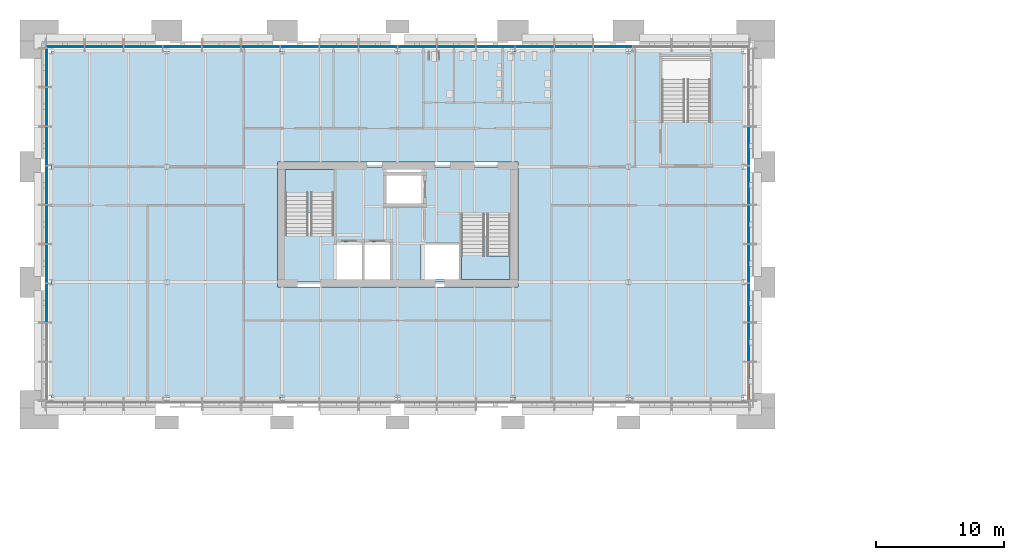
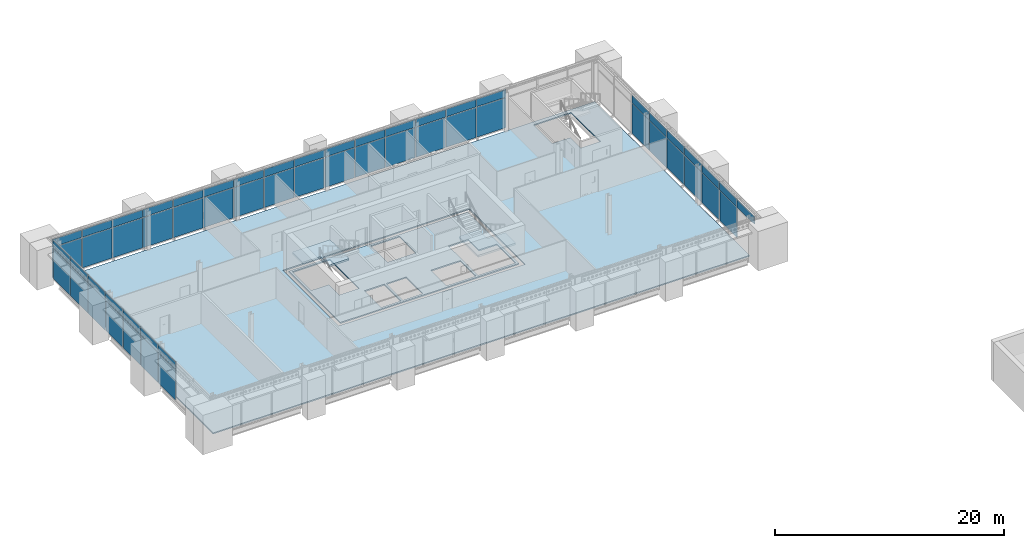
# One storey, part 19 of 54: 57 plates, 4 slabs, 5 elements without a shape of their own.
"""IFC4 building model written with IfcOpenShell, lengths in metres."""

from ifc_helpers import new_model, si_unit, direction, frame, origin, origin_2d, place, context, subcontext, project, spatial, polyline, rectangle, outline, extrude, material, layer, layer_set, type_object, element, aggregate, save


model = new_model("IFC4")

# Units and contexts
model_context = context("Model", 3, precision=1e-05, world=origin(), true_north=direction((0.0, 1.0)))
body_context = subcontext(model_context, "Body", "Model", "MODEL_VIEW")
ifc_project = project(units=[si_unit("LENGTHUNIT", "METRE"), si_unit("AREAUNIT", "SQUARE_METRE"), si_unit("VOLUMEUNIT", "CUBIC_METRE"), si_unit("PLANEANGLEUNIT", "RADIAN"), si_unit("MASSUNIT", "GRAM", prefix="KILO")], contexts=[model_context])

# Site, building, storey
site_placement = place(None, origin())
site = spatial("IfcSite", under=ifc_project, at=site_placement, CompositionType="ELEMENT")
building_placement = place(site_placement, origin())
building = spatial("IfcBuilding", under=site, at=building_placement, Name="Baradari Gate Terminus", CompositionType="ELEMENT")
storey_placement = place(building_placement, frame((0.0, 0.0, 15.89990234375)))
storey = spatial("IfcBuildingStorey", under=building, at=storey_placement, Name="L03", CompositionType="ELEMENT", Elevation=15.89990234375)

# Slabs
ifc_material_1 = material(Name="Concrete C35/45", Category="concrete")
ifc_layer_1 = layer(ifc_material_1, 0.1298828125)
ifc_layer_set_1 = layer_set([ifc_layer_1], Name="Concrete C35/45")
slab_type_1 = type_object("IfcSlabType", Name="Composite floor slab SL1 130", PredefinedType="FLOOR", material=ifc_layer_set_1)
slab_1_placement = place(storey_placement, frame((0.0, 0.0, -0.1298828125)))
element("IfcSlab", 1, at=slab_1_placement, inside=storey, type_object=slab_type_1, Name="Block floor", PredefinedType="FLOOR", context=body_context, shape_type="SweptSolid", body=[
    extrude(outline(polyline([(63.0, 117.0), (63.0, 144.0), (9.0, 144.0), (9.0, 117.0), (63.0, 117.0)]), holes=[polyline([(56.60009765625, 143.60009765625), (56.60009765625, 140.320068359375), (58.39990234375, 140.320068359375), (58.39990234375, 138.5), (60.39990234375, 138.5), (60.39990234375, 143.60009765625), (56.60009765625, 143.60009765625)]), polyline([(45.375, 134.77490234375), (45.375, 135.375), (26.625, 135.375), (26.625, 134.77490234375), (26.625, 126.22509765625), (26.625, 125.625), (45.375, 125.625), (45.375, 126.22509765625), (45.375, 134.77490234375)])]), origin(), (0.0, 0.0, 1.0), 0.1298828125),
])
slab_2_placement = place(storey_placement, frame((0.0, 0.0, -0.1298828125)))
element("IfcSlab", 2, at=slab_2_placement, inside=storey, type_object=slab_type_1, Name="Core floor CT", PredefinedType="FLOOR", context=body_context, shape_type="SweptSolid", body=[
    extrude(outline(polyline([(27.0, 135.0), (27.0, 126.0), (45.0, 126.0), (45.0, 135.0), (27.0, 135.0)]), holes=[polyline([(44.77490234375, 126.22509765625), (44.77490234375, 129.5048828125), (42.97509765625, 129.5048828125), (42.97509765625, 131.324951171875), (40.97509765625, 131.324951171875), (40.97509765625, 126.22509765625), (44.77490234375, 126.22509765625)]), polyline([(40.77490234375, 128.925048828125), (37.824951171875, 128.925048828125), (37.824951171875, 126.22509765625), (40.77490234375, 126.22509765625), (40.77490234375, 128.925048828125)]), polyline([(38.02490234375, 131.875), (38.02490234375, 134.77490234375), (35.125, 134.77490234375), (35.125, 131.875), (38.02490234375, 131.875)]), polyline([(35.425048828125, 129.125), (33.425048828125, 129.125), (33.425048828125, 126.22509765625), (35.425048828125, 126.22509765625), (35.425048828125, 129.125)]), polyline([(31.22509765625, 129.125), (31.22509765625, 126.22509765625), (33.22509765625, 126.22509765625), (33.22509765625, 129.125), (31.22509765625, 129.125)]), polyline([(27.22509765625, 134.77490234375), (27.22509765625, 131.4951171875), (29.02490234375, 131.4951171875), (29.02490234375, 129.675048828125), (31.02490234375, 129.675048828125), (31.02490234375, 134.77490234375), (27.22509765625, 134.77490234375)])]), origin(), (0.0, 0.0, 1.0), 0.1298828125),
])

# Curtain wall, plates
ifc_material_2 = material(Name="Aluminium 6063-T6", Category="aluminium")
curtain_wall_type = type_object("IfcCurtainWallType", Name="Curtain wall CW-1 block unitised, zone L02-L05", PredefinedType="NOTDEFINED", material=ifc_material_2)
curtain_wall_1_placement = place(storey_placement, origin())
curtain_wall_1 = element("IfcCurtainWall", 3, at=curtain_wall_1_placement, inside=storey, type_object=curtain_wall_type, Name="Curtain wall CW-1 Operations block N face L03", PredefinedType="NOTDEFINED")
ifc_material_3 = material(Name="Insulating glass unit", Category="glass")
ifc_layer_2 = layer(ifc_material_3, 0.030029296875)
ifc_layer_set_2 = layer_set([ifc_layer_2], Name="Insulating glass unit")
plate_type_1 = type_object("IfcPlateType", Name="Curtain wall glazing unit CP-1 30", PredefinedType="CURTAIN_PANEL", material=ifc_layer_set_2)
plate_1_placement = place(storey_placement, frame((10.072265625, 144.3701171875, 0.06494140625), z_axis=(0.0, 0.0, 1.0), x_axis=(1.0, 0.0, 0.0)))
plate_1 = element("IfcPlate", 4, at=plate_1_placement, type_object=plate_type_1, Name="CW-1 panel 1.1", PredefinedType="CURTAIN_PANEL", context=body_context, shape_type="SweptSolid", body=[
    extrude(rectangle(XDim=2.954833984375, YDim=0.030029296875, at=origin_2d()), origin(), (0.0, 0.0, 1.0), 3.202392578125),
])
plate_2_placement = place(storey_placement, frame((13.1083984375, 144.3701171875, 0.06494140625), z_axis=(0.0, 0.0, 1.0), x_axis=(1.0, 0.0, 0.0)))
plate_2 = element("IfcPlate", 5, at=plate_2_placement, type_object=plate_type_1, Name="CW-1 panel 2.1", PredefinedType="CURTAIN_PANEL", context=body_context, shape_type="SweptSolid", body=[
    extrude(rectangle(XDim=2.9873046875, YDim=0.030029296875, at=origin_2d()), origin(), (0.0, 0.0, 1.0), 3.202392578125),
])
plate_3_placement = place(storey_placement, frame((16.16064453125, 144.3701171875, 0.06494140625), z_axis=(0.0, 0.0, 1.0), x_axis=(1.0, 0.0, 0.0)))
plate_3 = element("IfcPlate", 6, at=plate_3_placement, type_object=plate_type_1, Name="CW-1 panel 3.1", PredefinedType="CURTAIN_PANEL", context=body_context, shape_type="SweptSolid", body=[
    extrude(rectangle(XDim=2.9873046875, YDim=0.030029296875, at=origin_2d()), origin(), (0.0, 0.0, 1.0), 3.202392578125),
])
plate_4_placement = place(storey_placement, frame((19.212890625, 144.3701171875, 0.06494140625), z_axis=(0.0, 0.0, 1.0), x_axis=(1.0, 0.0, 0.0)))
plate_4 = element("IfcPlate", 7, at=plate_4_placement, type_object=plate_type_1, Name="CW-1 panel 4.1", PredefinedType="CURTAIN_PANEL", context=body_context, shape_type="SweptSolid", body=[
    extrude(rectangle(XDim=2.9873046875, YDim=0.030029296875, at=origin_2d()), origin(), (0.0, 0.0, 1.0), 3.202392578125),
])
plate_5_placement = place(storey_placement, frame((22.264892578125, 144.3701171875, 0.06494140625), z_axis=(0.0, 0.0, 1.0), x_axis=(1.0, 0.0, 0.0)))
plate_5 = element("IfcPlate", 8, at=plate_5_placement, type_object=plate_type_1, Name="CW-1 panel 5.1", PredefinedType="CURTAIN_PANEL", context=body_context, shape_type="SweptSolid", body=[
    extrude(rectangle(XDim=2.9873046875, YDim=0.030029296875, at=origin_2d()), origin(), (0.0, 0.0, 1.0), 3.202392578125),
])
plate_6_placement = place(storey_placement, frame((25.317138671875, 144.3701171875, 0.06494140625), z_axis=(0.0, 0.0, 1.0), x_axis=(1.0, 0.0, 0.0)))
plate_6 = element("IfcPlate", 9, at=plate_6_placement, type_object=plate_type_1, Name="CW-1 panel 6.1", PredefinedType="CURTAIN_PANEL", context=body_context, shape_type="SweptSolid", body=[
    extrude(rectangle(XDim=2.9873046875, YDim=0.030029296875, at=origin_2d()), origin(), (0.0, 0.0, 1.0), 3.202392578125),
])
plate_7_placement = place(storey_placement, frame((28.369384765625, 144.3701171875, 0.06494140625), z_axis=(0.0, 0.0, 1.0), x_axis=(1.0, 0.0, 0.0)))
plate_7 = element("IfcPlate", 10, at=plate_7_placement, type_object=plate_type_1, Name="CW-1 panel 7.1", PredefinedType="CURTAIN_PANEL", context=body_context, shape_type="SweptSolid", body=[
    extrude(rectangle(XDim=2.9873046875, YDim=0.030029296875, at=origin_2d()), origin(), (0.0, 0.0, 1.0), 3.202392578125),
])
plate_8_placement = place(storey_placement, frame((31.421630859375, 144.3701171875, 0.06494140625), z_axis=(0.0, 0.0, 1.0), x_axis=(1.0, 0.0, 0.0)))
plate_8 = element("IfcPlate", 11, at=plate_8_placement, type_object=plate_type_1, Name="CW-1 panel 8.1", PredefinedType="CURTAIN_PANEL", context=body_context, shape_type="SweptSolid", body=[
    extrude(rectangle(XDim=2.9873046875, YDim=0.030029296875, at=origin_2d()), origin(), (0.0, 0.0, 1.0), 3.202392578125),
])
plate_9_placement = place(storey_placement, frame((34.473876953125, 144.3701171875, 0.06494140625), z_axis=(0.0, 0.0, 1.0), x_axis=(1.0, 0.0, 0.0)))
plate_9 = element("IfcPlate", 12, at=plate_9_placement, type_object=plate_type_1, Name="CW-1 panel 9.1", PredefinedType="CURTAIN_PANEL", context=body_context, shape_type="SweptSolid", body=[
    extrude(rectangle(XDim=2.9873046875, YDim=0.030029296875, at=origin_2d()), origin(), (0.0, 0.0, 1.0), 3.202392578125),
])
plate_10_placement = place(storey_placement, frame((37.526123046875, 144.3701171875, 0.06494140625), z_axis=(0.0, 0.0, 1.0), x_axis=(1.0, 0.0, 0.0)))
plate_10 = element("IfcPlate", 13, at=plate_10_placement, type_object=plate_type_1, Name="CW-1 panel 10.1", PredefinedType="CURTAIN_PANEL", context=body_context, shape_type="SweptSolid", body=[
    extrude(rectangle(XDim=2.9873046875, YDim=0.030029296875, at=origin_2d()), origin(), (0.0, 0.0, 1.0), 3.202392578125),
])
plate_11_placement = place(storey_placement, frame((40.578369140625, 144.3701171875, 0.06494140625), z_axis=(0.0, 0.0, 1.0), x_axis=(1.0, 0.0, 0.0)))
plate_11 = element("IfcPlate", 14, at=plate_11_placement, type_object=plate_type_1, Name="CW-1 panel 11.1", PredefinedType="CURTAIN_PANEL", context=body_context, shape_type="SweptSolid", body=[
    extrude(rectangle(XDim=2.9873046875, YDim=0.030029296875, at=origin_2d()), origin(), (0.0, 0.0, 1.0), 3.202392578125),
])
plate_12_placement = place(storey_placement, frame((43.630615234375, 144.3701171875, 0.06494140625), z_axis=(0.0, 0.0, 1.0), x_axis=(1.0, 0.0, 0.0)))
plate_12 = element("IfcPlate", 15, at=plate_12_placement, type_object=plate_type_1, Name="CW-1 panel 12.1", PredefinedType="CURTAIN_PANEL", context=body_context, shape_type="SweptSolid", body=[
    extrude(rectangle(XDim=2.9873046875, YDim=0.030029296875, at=origin_2d()), origin(), (0.0, 0.0, 1.0), 3.202392578125),
])
plate_13_placement = place(storey_placement, frame((46.682861328125, 144.3701171875, 0.06494140625), z_axis=(0.0, 0.0, 1.0), x_axis=(1.0, 0.0, 0.0)))
plate_13 = element("IfcPlate", 16, at=plate_13_placement, type_object=plate_type_1, Name="CW-1 panel 13.1", PredefinedType="CURTAIN_PANEL", context=body_context, shape_type="SweptSolid", body=[
    extrude(rectangle(XDim=2.9873046875, YDim=0.030029296875, at=origin_2d()), origin(), (0.0, 0.0, 1.0), 3.202392578125),
])
plate_14_placement = place(storey_placement, frame((49.735107421875, 144.3701171875, 0.06494140625), z_axis=(0.0, 0.0, 1.0), x_axis=(1.0, 0.0, 0.0)))
plate_14 = element("IfcPlate", 17, at=plate_14_placement, type_object=plate_type_1, Name="CW-1 panel 14.1", PredefinedType="CURTAIN_PANEL", context=body_context, shape_type="SweptSolid", body=[
    extrude(rectangle(XDim=2.9873046875, YDim=0.030029296875, at=origin_2d()), origin(), (0.0, 0.0, 1.0), 3.202392578125),
])
plate_15_placement = place(storey_placement, frame((52.787109375, 144.3701171875, 0.06494140625), z_axis=(0.0, 0.0, 1.0), x_axis=(1.0, 0.0, 0.0)))
plate_15 = element("IfcPlate", 18, at=plate_15_placement, type_object=plate_type_1, Name="CW-1 panel 15.1", PredefinedType="CURTAIN_PANEL", context=body_context, shape_type="SweptSolid", body=[
    extrude(rectangle(XDim=2.9873046875, YDim=0.030029296875, at=origin_2d()), origin(), (0.0, 0.0, 1.0), 3.202392578125),
])

curtain_wall_2_placement = place(storey_placement, origin())
curtain_wall_2 = element("IfcCurtainWall", 19, at=curtain_wall_2_placement, inside=storey, type_object=curtain_wall_type, Name="Curtain wall CW-1 Operations block W face L03", PredefinedType="NOTDEFINED")
plate_16_placement = place(storey_placement, frame((8.6298828125, 124.3798828125, 0.06494140625), z_axis=(0.0, 0.0, 1.0), x_axis=(0.0, 1.0, 0.0)))
plate_16 = element("IfcPlate", 20, at=plate_16_placement, type_object=plate_type_1, Name="CW-1 panel 3.1", PredefinedType="CURTAIN_PANEL", context=body_context, shape_type="SweptSolid", body=[
    extrude(rectangle(XDim=2.9951171875, YDim=0.030029296875, at=origin_2d()), origin(), (0.0, 0.0, 1.0), 3.202392578125),
])
plate_17_placement = place(storey_placement, frame((8.6298828125, 127.43994140625, 0.06494140625), z_axis=(0.0, 0.0, 1.0), x_axis=(0.0, 1.0, 0.0)))
plate_17 = element("IfcPlate", 21, at=plate_17_placement, type_object=plate_type_1, Name="CW-1 panel 4.1", PredefinedType="CURTAIN_PANEL", context=body_context, shape_type="SweptSolid", body=[
    extrude(rectangle(XDim=2.9951171875, YDim=0.030029296875, at=origin_2d()), origin(), (0.0, 0.0, 1.0), 3.202392578125),
])
plate_18_placement = place(storey_placement, frame((8.6298828125, 130.5, 0.06494140625), z_axis=(0.0, 0.0, 1.0), x_axis=(0.0, 1.0, 0.0)))
plate_18 = element("IfcPlate", 22, at=plate_18_placement, type_object=plate_type_1, Name="CW-1 panel 5.1", PredefinedType="CURTAIN_PANEL", context=body_context, shape_type="SweptSolid", body=[
    extrude(rectangle(XDim=2.9951171875, YDim=0.030029296875, at=origin_2d()), origin(), (0.0, 0.0, 1.0), 3.202392578125),
])
plate_19_placement = place(storey_placement, frame((8.6298828125, 133.56005859375, 0.06494140625), z_axis=(0.0, 0.0, 1.0), x_axis=(0.0, 1.0, 0.0)))
plate_19 = element("IfcPlate", 23, at=plate_19_placement, type_object=plate_type_1, Name="CW-1 panel 6.1", PredefinedType="CURTAIN_PANEL", context=body_context, shape_type="SweptSolid", body=[
    extrude(rectangle(XDim=2.9951171875, YDim=0.030029296875, at=origin_2d()), origin(), (0.0, 0.0, 1.0), 3.202392578125),
])
plate_20_placement = place(storey_placement, frame((8.6298828125, 136.6201171875, 0.06494140625), z_axis=(0.0, 0.0, 1.0), x_axis=(0.0, 1.0, 0.0)))
plate_20 = element("IfcPlate", 24, at=plate_20_placement, type_object=plate_type_1, Name="CW-1 panel 7.1", PredefinedType="CURTAIN_PANEL", context=body_context, shape_type="SweptSolid", body=[
    extrude(rectangle(XDim=2.9951171875, YDim=0.030029296875, at=origin_2d()), origin(), (0.0, 0.0, 1.0), 3.202392578125),
])
plate_21_placement = place(storey_placement, frame((8.6298828125, 139.679931640625, 0.06494140625), z_axis=(0.0, 0.0, 1.0), x_axis=(0.0, 1.0, 0.0)))
plate_21 = element("IfcPlate", 25, at=plate_21_placement, type_object=plate_type_1, Name="CW-1 panel 8.1", PredefinedType="CURTAIN_PANEL", context=body_context, shape_type="SweptSolid", body=[
    extrude(rectangle(XDim=2.9951171875, YDim=0.030029296875, at=origin_2d()), origin(), (0.0, 0.0, 1.0), 3.202392578125),
])
plate_22_placement = place(storey_placement, frame((8.6298828125, 142.7236328125, 0.06494140625), z_axis=(0.0, 0.0, 1.0), x_axis=(0.0, 1.0, 0.0)))
plate_22 = element("IfcPlate", 26, at=plate_22_placement, type_object=plate_type_1, Name="CW-1 panel 9.1", PredefinedType="CURTAIN_PANEL", context=body_context, shape_type="SweptSolid", body=[
    extrude(rectangle(XDim=2.96240234375, YDim=0.030029296875, at=origin_2d()), origin(), (0.0, 0.0, 1.0), 3.202392578125),
])

curtain_wall_3_placement = place(storey_placement, origin())
curtain_wall_3 = element("IfcCurtainWall", 27, at=curtain_wall_3_placement, inside=storey, type_object=curtain_wall_type, Name="Curtain wall CW-1 Operations block E face L03", PredefinedType="NOTDEFINED")
plate_23_placement = place(storey_placement, frame((63.3701171875, 121.320068359375, 0.06494140625), z_axis=(0.0, 0.0, 1.0), x_axis=(0.0, 1.0, 0.0)))
plate_23 = element("IfcPlate", 28, at=plate_23_placement, type_object=plate_type_1, Name="CW-1 panel 2.1", PredefinedType="CURTAIN_PANEL", context=body_context, shape_type="SweptSolid", body=[
    extrude(rectangle(XDim=2.9951171875, YDim=0.030029296875, at=origin_2d()), origin(), (0.0, 0.0, 1.0), 3.202392578125),
])
plate_24_placement = place(storey_placement, frame((63.3701171875, 124.3798828125, 0.06494140625), z_axis=(0.0, 0.0, 1.0), x_axis=(0.0, 1.0, 0.0)))
plate_24 = element("IfcPlate", 29, at=plate_24_placement, type_object=plate_type_1, Name="CW-1 panel 3.1", PredefinedType="CURTAIN_PANEL", context=body_context, shape_type="SweptSolid", body=[
    extrude(rectangle(XDim=2.9951171875, YDim=0.030029296875, at=origin_2d()), origin(), (0.0, 0.0, 1.0), 3.202392578125),
])
plate_25_placement = place(storey_placement, frame((63.3701171875, 127.43994140625, 0.06494140625), z_axis=(0.0, 0.0, 1.0), x_axis=(0.0, 1.0, 0.0)))
plate_25 = element("IfcPlate", 30, at=plate_25_placement, type_object=plate_type_1, Name="CW-1 panel 4.1", PredefinedType="CURTAIN_PANEL", context=body_context, shape_type="SweptSolid", body=[
    extrude(rectangle(XDim=2.9951171875, YDim=0.030029296875, at=origin_2d()), origin(), (0.0, 0.0, 1.0), 3.202392578125),
])
plate_26_placement = place(storey_placement, frame((63.3701171875, 130.5, 0.06494140625), z_axis=(0.0, 0.0, 1.0), x_axis=(0.0, 1.0, 0.0)))
plate_26 = element("IfcPlate", 31, at=plate_26_placement, type_object=plate_type_1, Name="CW-1 panel 5.1", PredefinedType="CURTAIN_PANEL", context=body_context, shape_type="SweptSolid", body=[
    extrude(rectangle(XDim=2.9951171875, YDim=0.030029296875, at=origin_2d()), origin(), (0.0, 0.0, 1.0), 3.202392578125),
])
plate_27_placement = place(storey_placement, frame((63.3701171875, 133.56005859375, 0.06494140625), z_axis=(0.0, 0.0, 1.0), x_axis=(0.0, 1.0, 0.0)))
plate_27 = element("IfcPlate", 32, at=plate_27_placement, type_object=plate_type_1, Name="CW-1 panel 6.1", PredefinedType="CURTAIN_PANEL", context=body_context, shape_type="SweptSolid", body=[
    extrude(rectangle(XDim=2.9951171875, YDim=0.030029296875, at=origin_2d()), origin(), (0.0, 0.0, 1.0), 3.202392578125),
])
plate_28_placement = place(storey_placement, frame((63.3701171875, 136.6201171875, 0.06494140625), z_axis=(0.0, 0.0, 1.0), x_axis=(0.0, 1.0, 0.0)))
plate_28 = element("IfcPlate", 33, at=plate_28_placement, type_object=plate_type_1, Name="CW-1 panel 7.1", PredefinedType="CURTAIN_PANEL", context=body_context, shape_type="SweptSolid", body=[
    extrude(rectangle(XDim=2.9951171875, YDim=0.030029296875, at=origin_2d()), origin(), (0.0, 0.0, 1.0), 3.202392578125),
])

# Plate
ifc_material_4 = material(Name="Back-painted glass", Category="glass")
ifc_layer_3 = layer(ifc_material_4, 0.070068359375)
ifc_layer_set_3 = layer_set([ifc_layer_3], Name="Back-painted glass")
plate_type_2 = type_object("IfcPlateType", Name="Curtain wall spandrel panel CP-S1 70", PredefinedType="CURTAIN_PANEL", material=ifc_layer_set_3)
plate_29_placement = place(storey_placement, frame((10.072265625, 144.3701171875, 3.33251953125), z_axis=(0.0, 0.0, 1.0), x_axis=(1.0, 0.0, 0.0)))
plate_29 = element("IfcPlate", 34, at=plate_29_placement, type_object=plate_type_2, Name="CW-1 spandrel panel 1.2", PredefinedType="CURTAIN_PANEL", context=body_context, shape_type="SweptSolid", body=[
    extrude(rectangle(XDim=2.954833984375, YDim=0.070068359375, at=origin_2d()), origin(), (0.0, 0.0, 1.0), 0.802490234375),
])

plate_30_placement = place(storey_placement, frame((13.1083984375, 144.3701171875, 3.33251953125), z_axis=(0.0, 0.0, 1.0), x_axis=(1.0, 0.0, 0.0)))
plate_30 = element("IfcPlate", 35, at=plate_30_placement, type_object=plate_type_2, Name="CW-1 spandrel panel 2.2", PredefinedType="CURTAIN_PANEL", context=body_context, shape_type="SweptSolid", body=[
    extrude(rectangle(XDim=2.9873046875, YDim=0.070068359375, at=origin_2d()), origin(), (0.0, 0.0, 1.0), 0.802490234375),
])

plate_31_placement = place(storey_placement, frame((16.16064453125, 144.3701171875, 3.33251953125), z_axis=(0.0, 0.0, 1.0), x_axis=(1.0, 0.0, 0.0)))
plate_31 = element("IfcPlate", 36, at=plate_31_placement, type_object=plate_type_2, Name="CW-1 spandrel panel 3.2", PredefinedType="CURTAIN_PANEL", context=body_context, shape_type="SweptSolid", body=[
    extrude(rectangle(XDim=2.9873046875, YDim=0.070068359375, at=origin_2d()), origin(), (0.0, 0.0, 1.0), 0.802490234375),
])

plate_32_placement = place(storey_placement, frame((19.212890625, 144.3701171875, 3.33251953125), z_axis=(0.0, 0.0, 1.0), x_axis=(1.0, 0.0, 0.0)))
plate_32 = element("IfcPlate", 37, at=plate_32_placement, type_object=plate_type_2, Name="CW-1 spandrel panel 4.2", PredefinedType="CURTAIN_PANEL", context=body_context, shape_type="SweptSolid", body=[
    extrude(rectangle(XDim=2.9873046875, YDim=0.070068359375, at=origin_2d()), origin(), (0.0, 0.0, 1.0), 0.802490234375),
])

plate_33_placement = place(storey_placement, frame((22.264892578125, 144.3701171875, 3.33251953125), z_axis=(0.0, 0.0, 1.0), x_axis=(1.0, 0.0, 0.0)))
plate_33 = element("IfcPlate", 38, at=plate_33_placement, type_object=plate_type_2, Name="CW-1 spandrel panel 5.2", PredefinedType="CURTAIN_PANEL", context=body_context, shape_type="SweptSolid", body=[
    extrude(rectangle(XDim=2.9873046875, YDim=0.070068359375, at=origin_2d()), origin(), (0.0, 0.0, 1.0), 0.802490234375),
])

plate_34_placement = place(storey_placement, frame((25.317138671875, 144.3701171875, 3.33251953125), z_axis=(0.0, 0.0, 1.0), x_axis=(1.0, 0.0, 0.0)))
plate_34 = element("IfcPlate", 39, at=plate_34_placement, type_object=plate_type_2, Name="CW-1 spandrel panel 6.2", PredefinedType="CURTAIN_PANEL", context=body_context, shape_type="SweptSolid", body=[
    extrude(rectangle(XDim=2.9873046875, YDim=0.070068359375, at=origin_2d()), origin(), (0.0, 0.0, 1.0), 0.802490234375),
])

plate_35_placement = place(storey_placement, frame((28.369384765625, 144.3701171875, 3.33251953125), z_axis=(0.0, 0.0, 1.0), x_axis=(1.0, 0.0, 0.0)))
plate_35 = element("IfcPlate", 40, at=plate_35_placement, type_object=plate_type_2, Name="CW-1 spandrel panel 7.2", PredefinedType="CURTAIN_PANEL", context=body_context, shape_type="SweptSolid", body=[
    extrude(rectangle(XDim=2.9873046875, YDim=0.070068359375, at=origin_2d()), origin(), (0.0, 0.0, 1.0), 0.802490234375),
])

plate_36_placement = place(storey_placement, frame((31.421630859375, 144.3701171875, 3.33251953125), z_axis=(0.0, 0.0, 1.0), x_axis=(1.0, 0.0, 0.0)))
plate_36 = element("IfcPlate", 41, at=plate_36_placement, type_object=plate_type_2, Name="CW-1 spandrel panel 8.2", PredefinedType="CURTAIN_PANEL", context=body_context, shape_type="SweptSolid", body=[
    extrude(rectangle(XDim=2.9873046875, YDim=0.070068359375, at=origin_2d()), origin(), (0.0, 0.0, 1.0), 0.802490234375),
])

plate_37_placement = place(storey_placement, frame((34.473876953125, 144.3701171875, 3.33251953125), z_axis=(0.0, 0.0, 1.0), x_axis=(1.0, 0.0, 0.0)))
plate_37 = element("IfcPlate", 42, at=plate_37_placement, type_object=plate_type_2, Name="CW-1 spandrel panel 9.2", PredefinedType="CURTAIN_PANEL", context=body_context, shape_type="SweptSolid", body=[
    extrude(rectangle(XDim=2.9873046875, YDim=0.070068359375, at=origin_2d()), origin(), (0.0, 0.0, 1.0), 0.802490234375),
])

plate_38_placement = place(storey_placement, frame((37.526123046875, 144.3701171875, 3.33251953125), z_axis=(0.0, 0.0, 1.0), x_axis=(1.0, 0.0, 0.0)))
plate_38 = element("IfcPlate", 43, at=plate_38_placement, type_object=plate_type_2, Name="CW-1 spandrel panel 10.2", PredefinedType="CURTAIN_PANEL", context=body_context, shape_type="SweptSolid", body=[
    extrude(rectangle(XDim=2.9873046875, YDim=0.070068359375, at=origin_2d()), origin(), (0.0, 0.0, 1.0), 0.802490234375),
])

plate_39_placement = place(storey_placement, frame((40.578369140625, 144.3701171875, 3.33251953125), z_axis=(0.0, 0.0, 1.0), x_axis=(1.0, 0.0, 0.0)))
plate_39 = element("IfcPlate", 44, at=plate_39_placement, type_object=plate_type_2, Name="CW-1 spandrel panel 11.2", PredefinedType="CURTAIN_PANEL", context=body_context, shape_type="SweptSolid", body=[
    extrude(rectangle(XDim=2.9873046875, YDim=0.070068359375, at=origin_2d()), origin(), (0.0, 0.0, 1.0), 0.802490234375),
])

plate_40_placement = place(storey_placement, frame((43.630615234375, 144.3701171875, 3.33251953125), z_axis=(0.0, 0.0, 1.0), x_axis=(1.0, 0.0, 0.0)))
plate_40 = element("IfcPlate", 45, at=plate_40_placement, type_object=plate_type_2, Name="CW-1 spandrel panel 12.2", PredefinedType="CURTAIN_PANEL", context=body_context, shape_type="SweptSolid", body=[
    extrude(rectangle(XDim=2.9873046875, YDim=0.070068359375, at=origin_2d()), origin(), (0.0, 0.0, 1.0), 0.802490234375),
])

plate_41_placement = place(storey_placement, frame((46.682861328125, 144.3701171875, 3.33251953125), z_axis=(0.0, 0.0, 1.0), x_axis=(1.0, 0.0, 0.0)))
plate_41 = element("IfcPlate", 46, at=plate_41_placement, type_object=plate_type_2, Name="CW-1 spandrel panel 13.2", PredefinedType="CURTAIN_PANEL", context=body_context, shape_type="SweptSolid", body=[
    extrude(rectangle(XDim=2.9873046875, YDim=0.070068359375, at=origin_2d()), origin(), (0.0, 0.0, 1.0), 0.802490234375),
])

plate_42_placement = place(storey_placement, frame((49.735107421875, 144.3701171875, 3.33251953125), z_axis=(0.0, 0.0, 1.0), x_axis=(1.0, 0.0, 0.0)))
plate_42 = element("IfcPlate", 47, at=plate_42_placement, type_object=plate_type_2, Name="CW-1 spandrel panel 14.2", PredefinedType="CURTAIN_PANEL", context=body_context, shape_type="SweptSolid", body=[
    extrude(rectangle(XDim=2.9873046875, YDim=0.070068359375, at=origin_2d()), origin(), (0.0, 0.0, 1.0), 0.802490234375),
])

plate_43_placement = place(storey_placement, frame((52.787109375, 144.3701171875, 3.33251953125), z_axis=(0.0, 0.0, 1.0), x_axis=(1.0, 0.0, 0.0)))
plate_43 = element("IfcPlate", 48, at=plate_43_placement, type_object=plate_type_2, Name="CW-1 spandrel panel 15.2", PredefinedType="CURTAIN_PANEL", context=body_context, shape_type="SweptSolid", body=[
    extrude(rectangle(XDim=2.9873046875, YDim=0.070068359375, at=origin_2d()), origin(), (0.0, 0.0, 1.0), 0.802490234375),
])

aggregate(curtain_wall_1, [plate_1, plate_29, plate_2, plate_30, plate_3, plate_31, plate_4, plate_32, plate_5, plate_33, plate_6, plate_34, plate_7, plate_35, plate_8, plate_36, plate_9, plate_37, plate_10, plate_38, plate_11, plate_39, plate_12, plate_40, plate_13, plate_41, plate_14, plate_42, plate_15, plate_43])

plate_44_placement = place(storey_placement, frame((8.6298828125, 124.3798828125, 3.33251953125), z_axis=(0.0, 0.0, 1.0), x_axis=(0.0, 1.0, 0.0)))
plate_44 = element("IfcPlate", 49, at=plate_44_placement, type_object=plate_type_2, Name="CW-1 spandrel panel 3.2", PredefinedType="CURTAIN_PANEL", context=body_context, shape_type="SweptSolid", body=[
    extrude(rectangle(XDim=2.9951171875, YDim=0.070068359375, at=origin_2d()), origin(), (0.0, 0.0, 1.0), 0.802490234375),
])

plate_45_placement = place(storey_placement, frame((8.6298828125, 127.43994140625, 3.33251953125), z_axis=(0.0, 0.0, 1.0), x_axis=(0.0, 1.0, 0.0)))
plate_45 = element("IfcPlate", 50, at=plate_45_placement, type_object=plate_type_2, Name="CW-1 spandrel panel 4.2", PredefinedType="CURTAIN_PANEL", context=body_context, shape_type="SweptSolid", body=[
    extrude(rectangle(XDim=2.9951171875, YDim=0.070068359375, at=origin_2d()), origin(), (0.0, 0.0, 1.0), 0.802490234375),
])

plate_46_placement = place(storey_placement, frame((8.6298828125, 130.5, 3.33251953125), z_axis=(0.0, 0.0, 1.0), x_axis=(0.0, 1.0, 0.0)))
plate_46 = element("IfcPlate", 51, at=plate_46_placement, type_object=plate_type_2, Name="CW-1 spandrel panel 5.2", PredefinedType="CURTAIN_PANEL", context=body_context, shape_type="SweptSolid", body=[
    extrude(rectangle(XDim=2.9951171875, YDim=0.070068359375, at=origin_2d()), origin(), (0.0, 0.0, 1.0), 0.802490234375),
])

plate_47_placement = place(storey_placement, frame((8.6298828125, 133.56005859375, 3.33251953125), z_axis=(0.0, 0.0, 1.0), x_axis=(0.0, 1.0, 0.0)))
plate_47 = element("IfcPlate", 52, at=plate_47_placement, type_object=plate_type_2, Name="CW-1 spandrel panel 6.2", PredefinedType="CURTAIN_PANEL", context=body_context, shape_type="SweptSolid", body=[
    extrude(rectangle(XDim=2.9951171875, YDim=0.070068359375, at=origin_2d()), origin(), (0.0, 0.0, 1.0), 0.802490234375),
])

plate_48_placement = place(storey_placement, frame((8.6298828125, 136.6201171875, 3.33251953125), z_axis=(0.0, 0.0, 1.0), x_axis=(0.0, 1.0, 0.0)))
plate_48 = element("IfcPlate", 53, at=plate_48_placement, type_object=plate_type_2, Name="CW-1 spandrel panel 7.2", PredefinedType="CURTAIN_PANEL", context=body_context, shape_type="SweptSolid", body=[
    extrude(rectangle(XDim=2.9951171875, YDim=0.070068359375, at=origin_2d()), origin(), (0.0, 0.0, 1.0), 0.802490234375),
])

plate_49_placement = place(storey_placement, frame((8.6298828125, 139.679931640625, 3.33251953125), z_axis=(0.0, 0.0, 1.0), x_axis=(0.0, 1.0, 0.0)))
plate_49 = element("IfcPlate", 54, at=plate_49_placement, type_object=plate_type_2, Name="CW-1 spandrel panel 8.2", PredefinedType="CURTAIN_PANEL", context=body_context, shape_type="SweptSolid", body=[
    extrude(rectangle(XDim=2.9951171875, YDim=0.070068359375, at=origin_2d()), origin(), (0.0, 0.0, 1.0), 0.802490234375),
])

plate_50_placement = place(storey_placement, frame((8.6298828125, 142.7236328125, 3.33251953125), z_axis=(0.0, 0.0, 1.0), x_axis=(0.0, 1.0, 0.0)))
plate_50 = element("IfcPlate", 55, at=plate_50_placement, type_object=plate_type_2, Name="CW-1 spandrel panel 9.2", PredefinedType="CURTAIN_PANEL", context=body_context, shape_type="SweptSolid", body=[
    extrude(rectangle(XDim=2.96240234375, YDim=0.070068359375, at=origin_2d()), origin(), (0.0, 0.0, 1.0), 0.802490234375),
])

aggregate(curtain_wall_2, [plate_16, plate_44, plate_17, plate_45, plate_18, plate_46, plate_19, plate_47, plate_20, plate_48, plate_21, plate_49, plate_22, plate_50])

plate_51_placement = place(storey_placement, frame((63.3701171875, 118.2763671875, 3.33251953125), z_axis=(0.0, 0.0, 1.0), x_axis=(0.0, 1.0, 0.0)))
plate_51 = element("IfcPlate", 56, at=plate_51_placement, type_object=plate_type_2, Name="CW-1 spandrel panel 1.2", PredefinedType="CURTAIN_PANEL", context=body_context, shape_type="SweptSolid", body=[
    extrude(rectangle(XDim=2.96240234375, YDim=0.070068359375, at=origin_2d()), origin(), (0.0, 0.0, 1.0), 0.802490234375),
])

plate_52_placement = place(storey_placement, frame((63.3701171875, 121.320068359375, 3.33251953125), z_axis=(0.0, 0.0, 1.0), x_axis=(0.0, 1.0, 0.0)))
plate_52 = element("IfcPlate", 57, at=plate_52_placement, type_object=plate_type_2, Name="CW-1 spandrel panel 2.2", PredefinedType="CURTAIN_PANEL", context=body_context, shape_type="SweptSolid", body=[
    extrude(rectangle(XDim=2.9951171875, YDim=0.070068359375, at=origin_2d()), origin(), (0.0, 0.0, 1.0), 0.802490234375),
])

plate_53_placement = place(storey_placement, frame((63.3701171875, 124.3798828125, 3.33251953125), z_axis=(0.0, 0.0, 1.0), x_axis=(0.0, 1.0, 0.0)))
plate_53 = element("IfcPlate", 58, at=plate_53_placement, type_object=plate_type_2, Name="CW-1 spandrel panel 3.2", PredefinedType="CURTAIN_PANEL", context=body_context, shape_type="SweptSolid", body=[
    extrude(rectangle(XDim=2.9951171875, YDim=0.070068359375, at=origin_2d()), origin(), (0.0, 0.0, 1.0), 0.802490234375),
])

plate_54_placement = place(storey_placement, frame((63.3701171875, 127.43994140625, 3.33251953125), z_axis=(0.0, 0.0, 1.0), x_axis=(0.0, 1.0, 0.0)))
plate_54 = element("IfcPlate", 59, at=plate_54_placement, type_object=plate_type_2, Name="CW-1 spandrel panel 4.2", PredefinedType="CURTAIN_PANEL", context=body_context, shape_type="SweptSolid", body=[
    extrude(rectangle(XDim=2.9951171875, YDim=0.070068359375, at=origin_2d()), origin(), (0.0, 0.0, 1.0), 0.802490234375),
])

plate_55_placement = place(storey_placement, frame((63.3701171875, 130.5, 3.33251953125), z_axis=(0.0, 0.0, 1.0), x_axis=(0.0, 1.0, 0.0)))
plate_55 = element("IfcPlate", 60, at=plate_55_placement, type_object=plate_type_2, Name="CW-1 spandrel panel 5.2", PredefinedType="CURTAIN_PANEL", context=body_context, shape_type="SweptSolid", body=[
    extrude(rectangle(XDim=2.9951171875, YDim=0.070068359375, at=origin_2d()), origin(), (0.0, 0.0, 1.0), 0.802490234375),
])

plate_56_placement = place(storey_placement, frame((63.3701171875, 133.56005859375, 3.33251953125), z_axis=(0.0, 0.0, 1.0), x_axis=(0.0, 1.0, 0.0)))
plate_56 = element("IfcPlate", 61, at=plate_56_placement, type_object=plate_type_2, Name="CW-1 spandrel panel 6.2", PredefinedType="CURTAIN_PANEL", context=body_context, shape_type="SweptSolid", body=[
    extrude(rectangle(XDim=2.9951171875, YDim=0.070068359375, at=origin_2d()), origin(), (0.0, 0.0, 1.0), 0.802490234375),
])

plate_57_placement = place(storey_placement, frame((63.3701171875, 136.6201171875, 3.33251953125), z_axis=(0.0, 0.0, 1.0), x_axis=(0.0, 1.0, 0.0)))
plate_57 = element("IfcPlate", 62, at=plate_57_placement, type_object=plate_type_2, Name="CW-1 spandrel panel 7.2", PredefinedType="CURTAIN_PANEL", context=body_context, shape_type="SweptSolid", body=[
    extrude(rectangle(XDim=2.9951171875, YDim=0.070068359375, at=origin_2d()), origin(), (0.0, 0.0, 1.0), 0.802490234375),
])

aggregate(curtain_wall_3, [plate_51, plate_23, plate_52, plate_24, plate_53, plate_25, plate_54, plate_26, plate_55, plate_27, plate_56, plate_28, plate_57])

# Stair, slab
ifc_material_5 = material(Name="Concrete C32/40", Category="concrete")
stair_type_1 = type_object("IfcStairType", Name="Exit stair ST-T1 riser 175 x 1800", PredefinedType="HALF_TURN_STAIR", material=ifc_material_5)
stair_1_placement = place(storey_placement, origin())
stair_1 = element("IfcStair", 63, at=stair_1_placement, inside=storey, type_object=stair_type_1, Name="Stair ST-T1 L03 to L04", PredefinedType="HALF_TURN_STAIR")
ifc_material_6 = material(Name="Concrete C32/40", Category="concrete")
ifc_layer_4 = layer(ifc_material_6, 0.199951171875)
ifc_layer_set_4 = layer_set([ifc_layer_4], Name="Concrete C32/40")
slab_type_2 = type_object("IfcSlabType", Name="Stair landing LS-1 200", PredefinedType="LANDING", material=ifc_layer_set_4)
slab_3_placement = place(storey_placement, frame((0.0, 0.0, 1.900146484375)))
slab_3 = element("IfcSlab", 64, at=slab_3_placement, type_object=slab_type_2, Name="ST-T1 landing 1", PredefinedType="LANDING", context=body_context, shape_type="SweptSolid", body=[
    extrude(outline(polyline([(27.22509765625, 134.77490234375), (27.22509765625, 132.955078125), (29.02490234375, 132.955078125), (29.02490234375, 131.43994140625), (29.22509765625, 131.43994140625), (31.02490234375, 131.43994140625), (31.02490234375, 134.77490234375), (27.22509765625, 134.77490234375)])), origin(), (0.0, 0.0, 1.0), 0.199951171875),
])
aggregate(stair_1, [slab_3])

ifc_material_7 = material(Name="Concrete C32/40", Category="concrete")
stair_type_2 = type_object("IfcStairType", Name="Exit stair ST-T2 riser 175 x 1800", PredefinedType="HALF_TURN_STAIR", material=ifc_material_7)
stair_2_placement = place(storey_placement, origin())
stair_2 = element("IfcStair", 65, at=stair_2_placement, inside=storey, type_object=stair_type_2, Name="Stair ST-T2 L03 to L04", PredefinedType="HALF_TURN_STAIR")
slab_4_placement = place(storey_placement, frame((0.0, 0.0, 1.900146484375)))
slab_4 = element("IfcSlab", 66, at=slab_4_placement, type_object=slab_type_2, Name="ST-T2 landing 1", PredefinedType="LANDING", context=body_context, shape_type="SweptSolid", body=[
    extrude(outline(polyline([(44.77490234375, 126.22509765625), (44.77490234375, 128.044921875), (42.97509765625, 128.044921875), (42.97509765625, 129.56005859375), (42.77490234375, 129.56005859375), (40.97509765625, 129.56005859375), (40.97509765625, 126.22509765625), (44.77490234375, 126.22509765625)])), origin(), (0.0, 0.0, 1.0), 0.199951171875),
])
aggregate(stair_2, [slab_4])

save(model, "model.ifc")
